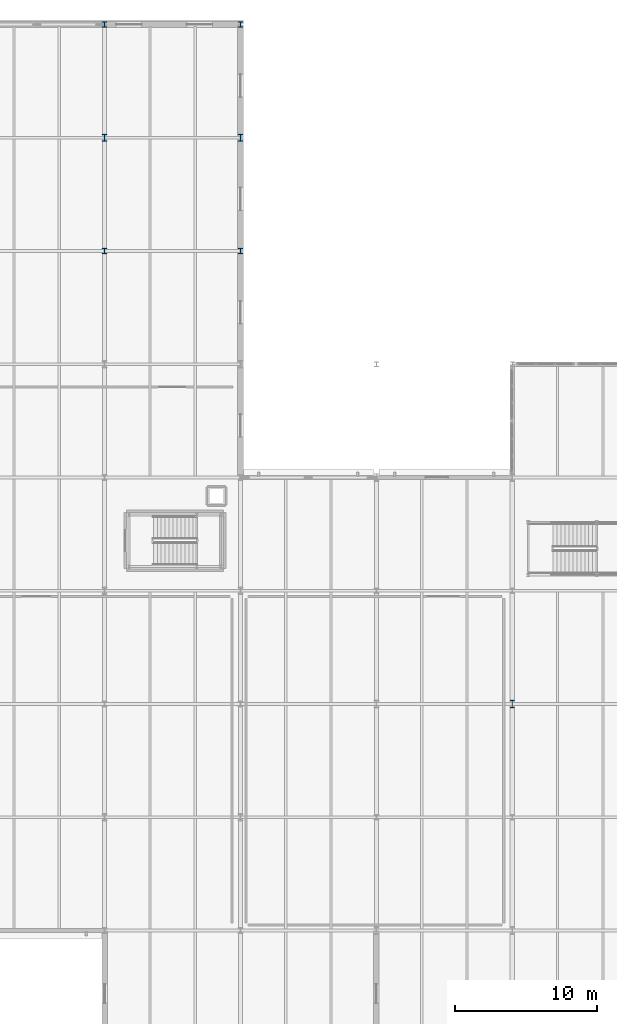
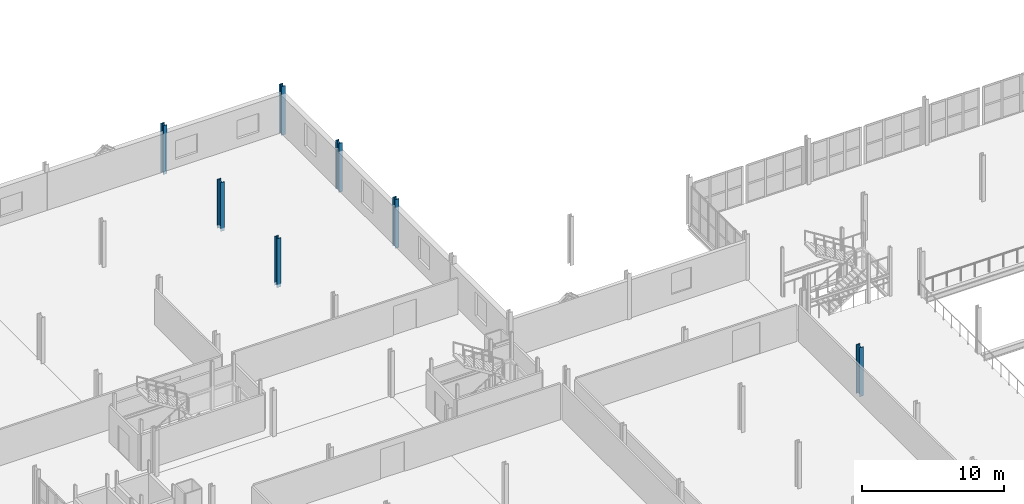
# One storey, part 18 of 78: 7 columns.
"""IFC4 building model written with IfcOpenShell, lengths in metres."""

import ifcopenshell
import ifcopenshell.guid

model = None  # the IFC model being written
_history = None  # IfcOwnerHistory: only IFC2X3 demands one
_inside = {}  # id of a spatial element -> (the spatial element, [elements in it])
_under = {}  # id of a project, library or spatial element -> (it, [spatial elements below it])
_declared = {}  # id of a project -> (the project, [libraries it declares])
_typed = {}  # id of a type object -> (the type object, [elements of that type])
_made_of = {}  # id of a material, layer set ... -> (it, [elements and type objects made of it])


def new_model(schema):
    """Start an empty IFC model of exactly this schema.

    Asked for "IFC4X3", IfcOpenShell would pick the latest addendum, in which some entities
    have other attributes; the version numbers below select the first issue.
    IFC2X3 requires an IfcOwnerHistory on every rooted entity: one is made here for all.
    """
    global model, _history
    if schema == "IFC4X3":
        model = ifcopenshell.file(schema_version=(4, 3, 0, 0))
    else:
        model = ifcopenshell.file(schema=schema)
    _inside.clear()
    _under.clear()
    _declared.clear()
    _typed.clear()
    _made_of.clear()
    _history = None
    if model.schema == "IFC2X3":
        org = make("IfcOrganization", Name="unknown")
        user = make(
            "IfcPersonAndOrganization",
            ThePerson=make("IfcPerson", FamilyName="unknown"),
            TheOrganization=org,
        )
        app = make(
            "IfcApplication",
            ApplicationDeveloper=org,
            Version="unknown",
            ApplicationFullName="unknown",
            ApplicationIdentifier="unknown",
        )
        _history = make(
            "IfcOwnerHistory",
            OwningUser=user,
            OwningApplication=app,
            ChangeAction="ADDED",
            CreationDate=0,
        )
    return model


def make(cls, **values):
    """One entity of the class cls with the attributes given. An attribute that is None is left unset."""
    return model.create_entity(
        cls, **{name: value for name, value in values.items() if value is not None}
    )


def rooted(cls, **values):
    """An entity with a GlobalId (a new one), such as an element, a storey or a relation."""
    return make(cls, GlobalId=ifcopenshell.guid.new(), OwnerHistory=_history, **values)


def si_unit(unit_type, name, prefix=None):
    """IfcSIUnit, for example si_unit("LENGTHUNIT", "METRE", prefix="MILLI")."""
    return make("IfcSIUnit", UnitType=unit_type, Prefix=prefix, Name=name)


def assignment(units):
    """IfcUnitAssignment: the units of a project."""
    return None if units is None else make("IfcUnitAssignment", Units=units)


def point(xyz):
    """IfcCartesianPoint."""
    return None if xyz is None else make("IfcCartesianPoint", Coordinates=xyz)


def direction(xyz):
    """IfcDirection."""
    return None if xyz is None else make("IfcDirection", DirectionRatios=xyz)


def frame(location, z_axis=None, x_axis=None):
    """IfcAxis2Placement3D, a coordinate frame: its origin and axes. An axis left out is left unset."""
    return make(
        "IfcAxis2Placement3D",
        Location=point(location),
        Axis=direction(z_axis),
        RefDirection=direction(x_axis),
    )


def frame_2d(location, x_axis=None):
    """IfcAxis2Placement2D, a coordinate frame in the plane: its origin and x axis."""
    return make(
        "IfcAxis2Placement2D", Location=point(location), RefDirection=direction(x_axis)
    )


def origin():
    """The frame at (0, 0, 0) with its axes left unset."""
    return frame((0.0, 0.0, 0.0))


def origin_2d():
    """The frame at (0, 0) in the plane with its x axis left unset."""
    return frame_2d((0.0, 0.0))


def place(relative_to, where):
    """IfcLocalPlacement: puts the frame where relative to a parent placement (None: the world)."""
    return make(
        "IfcLocalPlacement", PlacementRelTo=relative_to, RelativePlacement=where
    )


def context(
    kind, dimensions, precision=None, world=None, true_north=None, identifier=None
):
    """IfcGeometricRepresentationContext, for example the 3D "Model" context."""
    return make(
        "IfcGeometricRepresentationContext",
        ContextIdentifier=identifier,
        ContextType=kind,
        CoordinateSpaceDimension=dimensions,
        Precision=precision,
        WorldCoordinateSystem=world,
        TrueNorth=true_north,
    )


def subcontext(parent, identifier, kind, view, scale=None):
    """IfcGeometricRepresentationSubContext, for example "Body" below "Model"."""
    return make(
        "IfcGeometricRepresentationSubContext",
        ContextIdentifier=identifier,
        ContextType=kind,
        ParentContext=parent,
        TargetScale=scale,
        TargetView=view,
    )


def project(units=None, contexts=None):
    """IfcProject with its units and contexts."""
    return rooted(
        "IfcProject",
        Name="project",
        RepresentationContexts=contexts,
        UnitsInContext=assignment(units),
    )


def spatial(cls, under=None, at=None, **own):
    """A site, building, storey or space (cls), placed at a placement, below another one or the project."""
    s = rooted(cls, ObjectPlacement=at, **own)
    if under is not None:
        _under.setdefault(under.id(), (under, []))[1].append(s)
    return s


def profile(cls, at=None, kind="AREA", **sizes):
    """A parametric profile (cls). Its sizes go by their IFC names, for example OverallWidth=200.0."""
    return make(cls, ProfileType=kind, Position=at, **sizes)


def i_section(**sizes):
    """IfcIShapeProfileDef."""
    return profile("IfcIShapeProfileDef", **sizes)


def extrude(swept, where, along, depth):
    """IfcExtrudedAreaSolid: the profile swept, set in the frame where, extruded along a direction by depth."""
    return make(
        "IfcExtrudedAreaSolid",
        SweptArea=swept,
        Position=where,
        ExtrudedDirection=direction(along),
        Depth=depth,
    )


def shape(context_of_items, identifier, shape_type, items):
    """IfcShapeRepresentation: the items that make up one representation, for example the "Body"."""
    return make(
        "IfcShapeRepresentation",
        ContextOfItems=context_of_items,
        RepresentationIdentifier=identifier,
        RepresentationType=shape_type,
        Items=items,
    )


def material(Name=None, Category=None):
    """IfcMaterial."""
    return make("IfcMaterial", Name=Name, Category=Category)


def material_profile(
    of_material, cross_section, Name=None, Category=None, Priority=None
):
    """IfcMaterialProfile: a cross section and its material."""
    return make(
        "IfcMaterialProfile",
        Name=Name,
        Material=of_material,
        Profile=cross_section,
        Priority=Priority,
        Category=Category,
    )


def profile_set(profiles, Name=None, composite=None):
    """IfcMaterialProfileSet."""
    return make(
        "IfcMaterialProfileSet",
        Name=Name,
        MaterialProfiles=profiles,
        CompositeProfile=composite,
    )


def made_of(thing, what):
    """Note that an element or type object is made of a material, layer set ...; save() writes the relation."""
    if what is not None:
        _made_of.setdefault(what.id(), (what, []))[1].append(thing)
    return thing


def type_object(cls, material=None, **own):
    """A type object (cls), such as IfcWallType, which elements share."""
    return made_of(rooted(cls, **own), material)


def element(
    cls,
    number,
    at=None,
    inside=None,
    cuts=None,
    type_object=None,
    material=None,
    context=None,
    identifier="Body",
    shape_type=None,
    held_by="IfcProductDefinitionShape",
    body=None,
    shapes=None,
    **own,
):
    """One element of the class cls, such as IfcWall. Its Tag is "e" and its number.

    at: its placement. inside: the storey or other place that contains it. cuts: it is an
    opening in that element (IfcRelVoidsElement). A single representation is given by context,
    identifier, shape_type and body (its items); several are given by shapes. held_by: the class
    of the entity that holds the representations. save() writes the other relations.
    """
    e = rooted(cls, Tag="e%d" % number, ObjectPlacement=at, **own)
    if body is not None:
        shapes = [shape(context, identifier, shape_type, body)]
    if shapes is not None:
        e.Representation = make(held_by, Representations=shapes)
    if inside is not None:
        _inside.setdefault(inside.id(), (inside, []))[1].append(e)
    if cuts is not None:
        rooted(
            "IfcRelVoidsElement", RelatingBuildingElement=cuts, RelatedOpeningElement=e
        )
    if type_object is not None:
        _typed.setdefault(type_object.id(), (type_object, []))[1].append(e)
    return made_of(e, material)


def aggregate(whole, parts):
    """IfcRelAggregates: a whole, such as a stair, and the parts it consists of."""
    return rooted("IfcRelAggregates", RelatingObject=whole, RelatedObjects=parts)


def save(model, path):
    """Write the relations noted so far, then the file.

    IfcRelAggregates (storeys below a building ...), IfcRelContainedInSpatialStructure (elements
    in a storey), IfcRelDefinesByType, IfcRelAssociatesMaterial and IfcRelDeclares: one each for
    every whole, place, type object, material and project.
    """
    for whole, parts in _under.values():
        aggregate(whole, parts)
    for where, things in _inside.values():
        rooted(
            "IfcRelContainedInSpatialStructure",
            RelatedElements=things,
            RelatingStructure=where,
        )
    for kind, things in _typed.values():
        rooted("IfcRelDefinesByType", RelatedObjects=things, RelatingType=kind)
    for what, things in _made_of.values():
        rooted("IfcRelAssociatesMaterial", RelatedObjects=things, RelatingMaterial=what)
    for by, libraries in _declared.values():
        rooted("IfcRelDeclares", RelatingContext=by, RelatedDefinitions=libraries)
    model.write(path)


model = new_model("IFC4")

# Units and contexts
model_context = context("Model", 3, precision=1e-05, world=origin(), true_north=direction((0.0, 1.0)))
body_context = subcontext(model_context, "Body", "Model", "MODEL_VIEW")
ifc_project = project(units=[si_unit("LENGTHUNIT", "METRE"), si_unit("AREAUNIT", "SQUARE_METRE"), si_unit("VOLUMEUNIT", "CUBIC_METRE"), si_unit("PLANEANGLEUNIT", "RADIAN"), si_unit("MASSUNIT", "GRAM", prefix="KILO")], contexts=[model_context])

# Site, building, storey
site_placement = place(None, origin())
site = spatial("IfcSite", under=ifc_project, at=site_placement, CompositionType="ELEMENT")
building_placement = place(site_placement, origin())
building = spatial("IfcBuilding", under=site, at=building_placement, Name="Alderhovde Museum", CompositionType="ELEMENT")
storey_placement = place(building_placement, frame((0.0, 0.0, 4.5)))
storey = spatial("IfcBuildingStorey", under=building, at=storey_placement, Name="L01", CompositionType="ELEMENT", Elevation=4.5)

# Columns
ifc_material_1 = material(Name="Steel S355J2", Category="steel")
ifc_material_profile_1 = material_profile(ifc_material_1, i_section(OverallWidth=0.300048828125, OverallDepth=0.5, WebThickness=0.014404296875, FlangeThickness=0.028076171875, FilletRadius=0.027099609375, at=origin_2d()), Name="HEB 500")
ifc_profile_set_1 = profile_set([ifc_material_profile_1], Name="Steel S355J2")
column_type_1 = type_object("IfcColumnType", Name="COL-HEB500", PredefinedType="COLUMN", material=ifc_profile_set_1)
for number, where, z_axis, x_axis, name in (
    (1, (48.0, 104.0, -0.260009765625), (0.0, 0.0, 1.0), (1.0, 0.0, 0.0), "L01 Column (48.0, 104.0)"),
    (2, (57.60009765625, 104.0, -0.260009765625), (0.0, 0.0, 1.0), (1.0, 0.0, 0.0), "L01 Column (57.6, 104.0)"),
    (3, (76.800048828125, 64.0, -0.260009765625), (0.0, 0.0, 1.0), (1.0, 0.0, 0.0), "L01 Column (76.8, 64.0)"),
):
    element("IfcColumn", number, at=place(storey_placement, frame(where, z_axis=z_axis, x_axis=x_axis)), inside=storey, type_object=column_type_1, Name=name, PredefinedType="COLUMN", context=body_context, shape_type="SweptSolid", body=[
        extrude(i_section(OverallWidth=0.300048828125, OverallDepth=0.5, WebThickness=0.014404296875, FlangeThickness=0.028076171875, FilletRadius=0.027099609375, at=origin_2d()), origin(), (0.0, 0.0, 1.0), 4.199951171875),
    ])
ifc_material_2 = material(Name="Steel S355J2", Category="steel")
ifc_material_profile_2 = material_profile(ifc_material_2, i_section(OverallWidth=0.30908203125, OverallDepth=0.376953125, WebThickness=0.02099609375, FlangeThickness=0.0400390625, FilletRadius=0.027099609375, at=origin_2d()), Name="HEM 340")
ifc_profile_set_2 = profile_set([ifc_material_profile_2], Name="Steel S355J2")
column_type_2 = type_object("IfcColumnType", Name="COL-HEM340", PredefinedType="COLUMN", material=ifc_profile_set_2)
for number, where, z_axis, x_axis, name in (
    (4, (48.0, 96.0, -0.260009765625), (0.0, 0.0, 1.0), (1.0, 0.0, 0.0), "L01 Column (48.0, 96.0)"),
    (5, (48.0, 112.0, -0.260009765625), (0.0, 0.0, 1.0), (1.0, 0.0, 0.0), "L01 Column (48.0, 112.0)"),
    (6, (57.60009765625, 96.0, -0.260009765625), (0.0, 0.0, 1.0), (1.0, 0.0, 0.0), "L01 Column (57.6, 96.0)"),
    (7, (57.60009765625, 112.0, -0.260009765625), (0.0, 0.0, 1.0), (1.0, 0.0, 0.0), "L01 Column (57.6, 112.0)"),
):
    element("IfcColumn", number, at=place(storey_placement, frame(where, z_axis=z_axis, x_axis=x_axis)), inside=storey, type_object=column_type_2, Name=name, PredefinedType="COLUMN", context=body_context, shape_type="SweptSolid", body=[
        extrude(i_section(OverallWidth=0.30908203125, OverallDepth=0.376953125, WebThickness=0.02099609375, FlangeThickness=0.0400390625, FilletRadius=0.027099609375, at=origin_2d()), origin(), (0.0, 0.0, 1.0), 4.199951171875),
    ])

save(model, "model.ifc")
